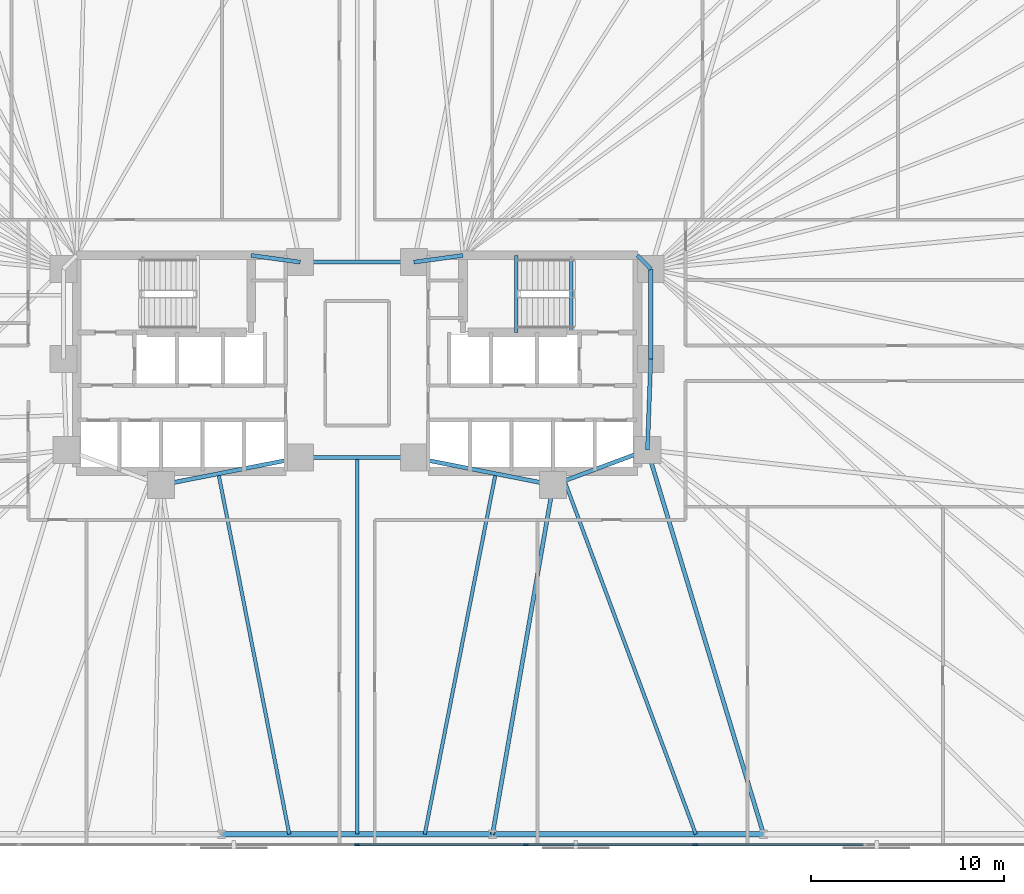
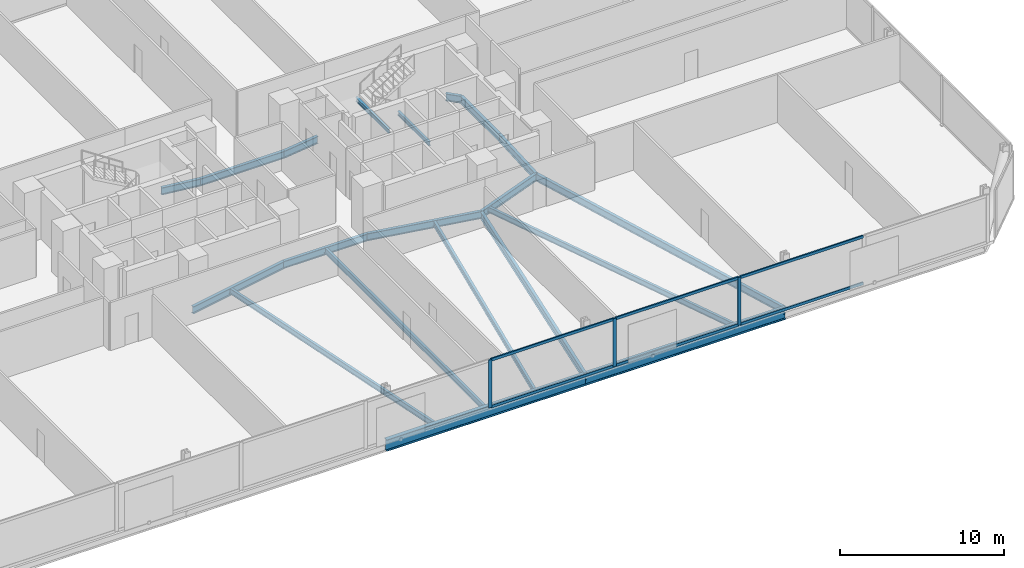
# One storey, part 7 of 17: 20 beams, 9 members, 1 element without a shape of its own.
"""IFC4 building model written with IfcOpenShell, lengths in metres."""

from ifc_helpers import new_model, si_unit, direction, frame, origin, origin_2d, place, context, subcontext, project, spatial, rectangle, i_section, extrude, material, material_profile, profile_set, type_object, element, aggregate, save


model = new_model("IFC4")

# Units and contexts
model_context = context("Model", 3, precision=1e-05, world=origin(), true_north=direction((0.0, 1.0)))
body_context = subcontext(model_context, "Body", "Model", "MODEL_VIEW")
ifc_project = project(units=[si_unit("LENGTHUNIT", "METRE"), si_unit("AREAUNIT", "SQUARE_METRE"), si_unit("VOLUMEUNIT", "CUBIC_METRE"), si_unit("PLANEANGLEUNIT", "RADIAN"), si_unit("MASSUNIT", "GRAM", prefix="KILO")], contexts=[model_context])

# Site, building, storey
site_placement = place(None, origin())
site = spatial("IfcSite", under=ifc_project, at=site_placement, CompositionType="ELEMENT")
building_placement = place(site_placement, origin())
building = spatial("IfcBuilding", under=site, at=building_placement, Name="Menara Jurai Vektor", CompositionType="ELEMENT")
storey_placement = place(building_placement, frame((0.0, 0.0, 25.60009765625)))
storey = spatial("IfcBuildingStorey", under=building, at=storey_placement, Name="L05", CompositionType="ELEMENT", Elevation=25.60009765625)

# Curtain wall, members
ifc_material_1 = material(Name="Anodised Pale Aluminium & Low-E Double Glazing", Category="aluminium")
curtain_wall_type = type_object("IfcCurtainWallType", Name="CW-BLK1", PredefinedType="NOTDEFINED", material=ifc_material_1)
curtain_wall_placement = place(storey_placement, origin())
curtain_wall = element("IfcCurtainWall", 1, at=curtain_wall_placement, inside=storey, type_object=curtain_wall_type, Name="Unitised Curtain Wall L05 F01", PredefinedType="NOTDEFINED")
ifc_material_2 = material(Name="Anodised Pale Aluminium Mullion", Category="aluminium")
ifc_material_profile_1 = material_profile(ifc_material_2, rectangle(XDim=0.094970703125, YDim=0.239990234375, at=origin_2d()), Name="ALU MUL 95x240")
ifc_profile_set_1 = profile_set([ifc_material_profile_1], Name="Anodised Pale Aluminium Mullion")
member_type_1 = type_object("IfcMemberType", Name="CW-BLK1-MUL", PredefinedType="MULLION", material=ifc_profile_set_1)
member_1_placement = place(storey_placement, frame((0.0, -25.0, 0.0), z_axis=(0.0, 0.0, 1.0), x_axis=(0.0, 1.0, 0.0)))
member_1 = element("IfcMember", 2, at=member_1_placement, type_object=member_type_1, Name="CW-01 mullion 5", PredefinedType="MULLION", context=body_context, shape_type="SweptSolid", body=[
    extrude(rectangle(XDim=0.094970703125, YDim=0.239990234375, at=origin_2d()), origin(), (0.0, 0.0, 1.0), 3.574951171875),
])
member_2_placement = place(storey_placement, frame((8.780029296875, -25.0, 0.0), z_axis=(0.0, 0.0, 1.0), x_axis=(0.0, 1.0, 0.0)))
member_2 = element("IfcMember", 3, at=member_2_placement, type_object=member_type_1, Name="CW-01 mullion 6", PredefinedType="MULLION", context=body_context, shape_type="SweptSolid", body=[
    extrude(rectangle(XDim=0.094970703125, YDim=0.239990234375, at=origin_2d()), origin(), (0.0, 0.0, 1.0), 3.574951171875),
])
member_3_placement = place(storey_placement, frame((17.56005859375, -25.0, 0.0), z_axis=(0.0, 0.0, 1.0), x_axis=(0.0, 1.0, 0.0)))
member_3 = element("IfcMember", 4, at=member_3_placement, type_object=member_type_1, Name="CW-01 mullion 7", PredefinedType="MULLION", context=body_context, shape_type="SweptSolid", body=[
    extrude(rectangle(XDim=0.094970703125, YDim=0.239990234375, at=origin_2d()), origin(), (0.0, 0.0, 1.0), 3.574951171875),
])
ifc_material_3 = material(Name="Anodised Pale Aluminium Transom", Category="aluminium")
ifc_material_profile_2 = material_profile(ifc_material_3, rectangle(XDim=0.094970703125, YDim=0.199951171875, at=origin_2d()), Name="ALU TRN 95x200")
ifc_profile_set_2 = profile_set([ifc_material_profile_2], Name="Anodised Pale Aluminium Transom")
member_type_2 = type_object("IfcMemberType", Name="CW-BLK1-TRN", PredefinedType="USERDEFINED", material=ifc_profile_set_2)
member_4_placement = place(storey_placement, frame((0.047607421875, -25.0, 0.04736328125), z_axis=(1.0, 0.0, 0.0), x_axis=(0.0, 1.0, 0.0)))
member_4 = element("IfcMember", 5, at=member_4_placement, type_object=member_type_2, Name="CW-01 transom 5.1", ObjectType="TRANSOM", PredefinedType="USERDEFINED", context=body_context, shape_type="SweptSolid", body=[
    extrude(rectangle(XDim=0.094970703125, YDim=0.199951171875, at=origin_2d()), origin(), (0.0, 0.0, 1.0), 8.684814453125),
])
member_5_placement = place(storey_placement, frame((0.047607421875, -25.0, 3.52734375), z_axis=(1.0, 0.0, 0.0), x_axis=(0.0, 1.0, 0.0)))
member_5 = element("IfcMember", 6, at=member_5_placement, type_object=member_type_2, Name="CW-01 transom 5.2", ObjectType="TRANSOM", PredefinedType="USERDEFINED", context=body_context, shape_type="SweptSolid", body=[
    extrude(rectangle(XDim=0.094970703125, YDim=0.199951171875, at=origin_2d()), origin(), (0.0, 0.0, 1.0), 8.684814453125),
])
member_6_placement = place(storey_placement, frame((8.827392578125, -25.0, 0.04736328125), z_axis=(1.0, 0.0, 0.0), x_axis=(0.0, 1.0, 0.0)))
member_6 = element("IfcMember", 7, at=member_6_placement, type_object=member_type_2, Name="CW-01 transom 6.1", ObjectType="TRANSOM", PredefinedType="USERDEFINED", context=body_context, shape_type="SweptSolid", body=[
    extrude(rectangle(XDim=0.094970703125, YDim=0.199951171875, at=origin_2d()), origin(), (0.0, 0.0, 1.0), 8.68505859375),
])
member_7_placement = place(storey_placement, frame((8.827392578125, -25.0, 3.52734375), z_axis=(1.0, 0.0, 0.0), x_axis=(0.0, 1.0, 0.0)))
member_7 = element("IfcMember", 8, at=member_7_placement, type_object=member_type_2, Name="CW-01 transom 6.2", ObjectType="TRANSOM", PredefinedType="USERDEFINED", context=body_context, shape_type="SweptSolid", body=[
    extrude(rectangle(XDim=0.094970703125, YDim=0.199951171875, at=origin_2d()), origin(), (0.0, 0.0, 1.0), 8.68505859375),
])
member_8_placement = place(storey_placement, frame((17.607421875, -25.0, 0.04736328125), z_axis=(1.0, 0.0, 0.0), x_axis=(0.0, 1.0, 0.0)))
member_8 = element("IfcMember", 9, at=member_8_placement, type_object=member_type_2, Name="CW-01 transom 7.1", ObjectType="TRANSOM", PredefinedType="USERDEFINED", context=body_context, shape_type="SweptSolid", body=[
    extrude(rectangle(XDim=0.094970703125, YDim=0.199951171875, at=origin_2d()), origin(), (0.0, 0.0, 1.0), 8.68505859375),
])
member_9_placement = place(storey_placement, frame((17.607421875, -25.0, 3.52734375), z_axis=(1.0, 0.0, 0.0), x_axis=(0.0, 1.0, 0.0)))
member_9 = element("IfcMember", 10, at=member_9_placement, type_object=member_type_2, Name="CW-01 transom 7.2", ObjectType="TRANSOM", PredefinedType="USERDEFINED", context=body_context, shape_type="SweptSolid", body=[
    extrude(rectangle(XDim=0.094970703125, YDim=0.199951171875, at=origin_2d()), origin(), (0.0, 0.0, 1.0), 8.68505859375),
])
aggregate(curtain_wall, [member_1, member_2, member_3, member_4, member_5, member_6, member_7, member_8, member_9])

# Beams
ifc_material_4 = material(Name="Steel S355", Category="steel")
ifc_material_profile_3 = material_profile(ifc_material_4, i_section(OverallWidth=0.2109375, OverallDepth=0.5390625, WebThickness=0.011962890625, FlangeThickness=0.01904296875, FilletRadius=0.012939453125, at=origin_2d()), Name="UKB 533x210x109")
ifc_profile_set_3 = profile_set([ifc_material_profile_3], Name="Steel S355")
beam_type_1 = type_object("IfcBeamType", Name="STR-BM-533", PredefinedType="BEAM", material=ifc_profile_set_3)
beam_1_placement = place(storey_placement, frame((-5.5, 5.60009765625, -0.49462890625), z_axis=(0.990706818608, -0.136014703483, 0.0), x_axis=(0.136014703483, 0.990706818608, 0.0)))
element("IfcBeam", 11, at=beam_1_placement, inside=storey, type_object=beam_type_1, Name="Core Ring Header Girder L05-CHW-N2", PredefinedType="BEAM", context=body_context, shape_type="SweptSolid", body=[
    extrude(i_section(OverallWidth=0.2109375, OverallDepth=0.5390625, WebThickness=0.011962890625, FlangeThickness=0.01904296875, FilletRadius=0.012939453125, at=origin_2d()), origin(), (0.0, 0.0, 1.0), 2.573974609375),
])
beam_2_placement = place(storey_placement, frame((-10.179931640625, -6.320068359375, -0.49462890625), z_axis=(0.981249044334, 0.192744164614, 0.0), x_axis=(-0.192744164614, 0.981249044334, 0.0)))
element("IfcBeam", 12, at=beam_2_placement, inside=storey, type_object=beam_type_1, Name="Core Ring Header Girder L05-CHW-S2", PredefinedType="BEAM", context=body_context, shape_type="SweptSolid", body=[
    extrude(i_section(OverallWidth=0.2109375, OverallDepth=0.5390625, WebThickness=0.011962890625, FlangeThickness=0.01904296875, FilletRadius=0.012939453125, at=origin_2d()), origin(), (0.0, 0.0, 1.0), 7.3681640625),
])
beam_3_placement = place(storey_placement, frame((2.949951171875, 5.25, -0.49462890625), z_axis=(0.990706818608, 0.136014703483, 0.0), x_axis=(-0.136014703483, 0.990706818608, 0.0)))
element("IfcBeam", 13, at=beam_3_placement, inside=storey, type_object=beam_type_1, Name="Core Ring Header Girder L05-CHE-N1", PredefinedType="BEAM", context=body_context, shape_type="SweptSolid", body=[
    extrude(i_section(OverallWidth=0.2109375, OverallDepth=0.5390625, WebThickness=0.011962890625, FlangeThickness=0.01904296875, FilletRadius=0.012939453125, at=origin_2d()), origin(), (0.0, 0.0, 1.0), 2.573974609375),
])
beam_4_placement = place(storey_placement, frame((14.56005859375, 5.60009765625, -0.49462890625), z_axis=(0.701871936926, -0.712303154672, 0.0), x_axis=(0.712303154672, 0.701871936926, 0.0)))
element("IfcBeam", 14, at=beam_4_placement, inside=storey, type_object=beam_type_1, Name="Core Ring Header Girder L05-CHE-N2", PredefinedType="BEAM", context=body_context, shape_type="SweptSolid", body=[
    extrude(i_section(OverallWidth=0.2109375, OverallDepth=0.5390625, WebThickness=0.011962890625, FlangeThickness=0.01904296875, FilletRadius=0.012939453125, at=origin_2d()), origin(), (0.0, 0.0, 1.0), 0.98291015625),
])
beam_5_placement = place(storey_placement, frame((15.25, 0.219970703125, -0.49462890625), z_axis=(0.0, 1.0, 0.0), x_axis=(-1.0, 0.0, 0.0)))
element("IfcBeam", 15, at=beam_5_placement, inside=storey, type_object=beam_type_1, Name="Core Ring Header Girder L05-CHE-E1", PredefinedType="BEAM", context=body_context, shape_type="SweptSolid", body=[
    extrude(i_section(OverallWidth=0.2109375, OverallDepth=0.5390625, WebThickness=0.011962890625, FlangeThickness=0.01904296875, FilletRadius=0.012939453125, at=origin_2d()), origin(), (0.0, 0.0, 1.0), 4.679931640625),
])
beam_6_placement = place(storey_placement, frame((15.080078125, -4.5, -0.49462890625), z_axis=(0.035977314146, 0.999352606874, 0.0), x_axis=(-0.999352606874, 0.035977314146, 0.0)))
element("IfcBeam", 16, at=beam_6_placement, inside=storey, type_object=beam_type_1, Name="Core Ring Header Girder L05-CHE-E2", PredefinedType="BEAM", context=body_context, shape_type="SweptSolid", body=[
    extrude(i_section(OverallWidth=0.2109375, OverallDepth=0.5390625, WebThickness=0.011962890625, FlangeThickness=0.01904296875, FilletRadius=0.012939453125, at=origin_2d()), origin(), (0.0, 0.0, 1.0), 4.72314453125),
])
beam_7_placement = place(storey_placement, frame((10.179931640625, -6.320068359375, -0.49462890625), z_axis=(0.937424400887, 0.348188874925, 0.0), x_axis=(-0.348188874925, 0.937424400887, 0.0)))
element("IfcBeam", 17, at=beam_7_placement, inside=storey, type_object=beam_type_1, Name="Core Ring Header Girder L05-CHE-S1", PredefinedType="BEAM", context=body_context, shape_type="SweptSolid", body=[
    extrude(i_section(OverallWidth=0.2109375, OverallDepth=0.5390625, WebThickness=0.011962890625, FlangeThickness=0.01904296875, FilletRadius=0.012939453125, at=origin_2d()), origin(), (0.0, 0.0, 1.0), 5.227294921875),
])
beam_8_placement = place(storey_placement, frame((2.949951171875, -4.89990234375, -0.49462890625), z_axis=(0.981249044334, -0.192744164614, 0.0), x_axis=(0.192744164614, 0.981249044334, 0.0)))
element("IfcBeam", 18, at=beam_8_placement, inside=storey, type_object=beam_type_1, Name="Core Ring Header Girder L05-CHE-S2", PredefinedType="BEAM", context=body_context, shape_type="SweptSolid", body=[
    extrude(i_section(OverallWidth=0.2109375, OverallDepth=0.5390625, WebThickness=0.011962890625, FlangeThickness=0.01904296875, FilletRadius=0.012939453125, at=origin_2d()), origin(), (0.0, 0.0, 1.0), 7.3681640625),
])
for number, where, z_axis, x_axis, name in (
    (19, (-2.949951171875, -4.89990234375, -0.49462890625), (1.0, 0.0, 0.0), (0.0, 1.0, 0.0), "Core Ring Header Girder L05-CC-1"),
    (20, (-2.949951171875, 5.25, -0.49462890625), (1.0, 0.0, 0.0), (0.0, 1.0, 0.0), "Core Ring Header Girder L05-CC-2"),
):
    element("IfcBeam", number, at=place(storey_placement, frame(where, z_axis=z_axis, x_axis=x_axis)), inside=storey, type_object=beam_type_1, Name=name, PredefinedType="BEAM", context=body_context, shape_type="SweptSolid", body=[
        extrude(i_section(OverallWidth=0.2109375, OverallDepth=0.5390625, WebThickness=0.011962890625, FlangeThickness=0.01904296875, FilletRadius=0.012939453125, at=origin_2d()), origin(), (0.0, 0.0, 1.0), 5.89990234375),
    ])
beam_9_placement = place(storey_placement, frame((7.03564453125, -24.449951171875, -0.49462890625), z_axis=(0.170880325642, 0.985291791455, 0.0), x_axis=(-0.985291791455, 0.170880325642, 0.0)))
element("IfcBeam", 21, at=beam_9_placement, inside=storey, type_object=beam_type_1, Name="Radial Floor Girder L05-S4", PredefinedType="BEAM", context=body_context, shape_type="SweptSolid", body=[
    extrude(i_section(OverallWidth=0.2109375, OverallDepth=0.5390625, WebThickness=0.011962890625, FlangeThickness=0.01904296875, FilletRadius=0.012939453125, at=origin_2d()), origin(), (0.0, 0.0, 1.0), 18.400634765625),
])
beam_10_placement = place(storey_placement, frame((21.106689453125, -24.449951171875, -0.49462890625), z_axis=(-0.289179812203, 0.957274796604, 0.0), x_axis=(-0.957274796604, -0.289179812203, 0.0)))
element("IfcBeam", 22, at=beam_10_placement, inside=storey, type_object=beam_type_1, Name="Radial Floor Girder L05-S5", PredefinedType="BEAM", context=body_context, shape_type="SweptSolid", body=[
    extrude(i_section(OverallWidth=0.2109375, OverallDepth=0.5390625, WebThickness=0.011962890625, FlangeThickness=0.01904296875, FilletRadius=0.012939453125, at=origin_2d()), origin(), (0.0, 0.0, 1.0), 20.84033203125),
])
ifc_material_profile_4 = material_profile(ifc_material_4, i_section(OverallWidth=0.178955078125, OverallDepth=0.408935546875, WebThickness=0.009033203125, FlangeThickness=0.013916015625, FilletRadius=0.010009765625, at=origin_2d()), Name="UKB 406x178x67")
ifc_profile_set_4 = profile_set([ifc_material_profile_4], Name="Steel S355")
beam_type_2 = type_object("IfcBeamType", Name="STR-JS-406", PredefinedType="JOIST", material=ifc_profile_set_4)
beam_11_placement = place(storey_placement, frame((-3.517822265625, -24.449951171875, -0.4296875), z_axis=(-0.192723076671, 0.981253186348, 0.0), x_axis=(-0.981253186348, -0.192723076671, 0.0)))
element("IfcBeam", 23, at=beam_11_placement, inside=storey, type_object=beam_type_2, Name="Radial Secondary Floor Joist L05-JS04", PredefinedType="JOIST", context=body_context, shape_type="SweptSolid", body=[
    extrude(i_section(OverallWidth=0.178955078125, OverallDepth=0.408935546875, WebThickness=0.009033203125, FlangeThickness=0.013916015625, FilletRadius=0.010009765625, at=origin_2d()), origin(), (0.0, 0.0, 1.0), 19.07421875),
])
beam_12_placement = place(storey_placement, frame((0.0, -24.449951171875, -0.4296875), z_axis=(0.0, 1.0, 0.0), x_axis=(-1.0, 0.0, 0.0)))
element("IfcBeam", 24, at=beam_12_placement, inside=storey, type_object=beam_type_2, Name="Radial Secondary Floor Joist L05-JS05", PredefinedType="JOIST", context=body_context, shape_type="SweptSolid", body=[
    extrude(i_section(OverallWidth=0.178955078125, OverallDepth=0.408935546875, WebThickness=0.009033203125, FlangeThickness=0.013916015625, FilletRadius=0.010009765625, at=origin_2d()), origin(), (0.0, 0.0, 1.0), 19.550048828125),
])
beam_13_placement = place(storey_placement, frame((3.517822265625, -24.449951171875, -0.4296875), z_axis=(0.192723076671, 0.981253186348, 0.0), x_axis=(-0.981253186348, 0.192723076671, 0.0)))
element("IfcBeam", 25, at=beam_13_placement, inside=storey, type_object=beam_type_2, Name="Radial Secondary Floor Joist L05-JS06", PredefinedType="JOIST", context=body_context, shape_type="SweptSolid", body=[
    extrude(i_section(OverallWidth=0.178955078125, OverallDepth=0.408935546875, WebThickness=0.009033203125, FlangeThickness=0.013916015625, FilletRadius=0.010009765625, at=origin_2d()), origin(), (0.0, 0.0, 1.0), 19.07421875),
])
beam_14_placement = place(storey_placement, frame((17.5888671875, -24.449951171875, -0.4296875), z_axis=(-0.348179014223, 0.937428063403, 0.0), x_axis=(-0.937428063403, -0.348179014223, 0.0)))
element("IfcBeam", 26, at=beam_14_placement, inside=storey, type_object=beam_type_2, Name="Radial Secondary Floor Joist L05-JS07", PredefinedType="JOIST", context=body_context, shape_type="SweptSolid", body=[
    extrude(i_section(OverallWidth=0.178955078125, OverallDepth=0.408935546875, WebThickness=0.009033203125, FlangeThickness=0.013916015625, FilletRadius=0.010009765625, at=origin_2d()), origin(), (0.0, 0.0, 1.0), 19.5751953125),
])
ifc_material_profile_5 = material_profile(ifc_material_4, i_section(OverallWidth=0.1650390625, OverallDepth=0.302978515625, WebThickness=0.006103515625, FlangeThickness=0.010009765625, FilletRadius=0.009033203125, at=origin_2d()), Name="UKB 305x165x40")
ifc_profile_set_5 = profile_set([ifc_material_profile_5], Name="Steel S355")
beam_type_3 = type_object("IfcBeamType", Name="STR-LN-305", PredefinedType="LINTEL", material=ifc_profile_set_5)
beam_15_placement = place(storey_placement, frame((11.1201171875, 1.60009765625, -0.376708984375), z_axis=(0.0, 1.0, 0.0), x_axis=(-1.0, 0.0, 0.0)))
element("IfcBeam", 27, at=beam_15_placement, inside=storey, type_object=beam_type_3, Name="Stair Well Floor Trimmer ST2 L05", PredefinedType="LINTEL", context=body_context, shape_type="SweptSolid", body=[
    extrude(i_section(OverallWidth=0.1650390625, OverallDepth=0.302978515625, WebThickness=0.006103515625, FlangeThickness=0.010009765625, FilletRadius=0.009033203125, at=origin_2d()), origin(), (0.0, 0.0, 1.0), 3.81982421875),
])
beam_16_placement = place(storey_placement, frame((8.27001953125, 1.60009765625, 1.54833984375), z_axis=(0.0, 1.0, 0.0), x_axis=(-1.0, 0.0, 0.0)))
element("IfcBeam", 28, at=beam_16_placement, inside=storey, type_object=beam_type_3, Name="Stair Half-Landing Nosing Trimmer ST2-1 L05", PredefinedType="LINTEL", context=body_context, shape_type="SweptSolid", body=[
    extrude(i_section(OverallWidth=0.1650390625, OverallDepth=0.302978515625, WebThickness=0.006103515625, FlangeThickness=0.010009765625, FilletRadius=0.009033203125, at=origin_2d()), origin(), (0.0, 0.0, 1.0), 4.0),
])
ifc_material_5 = material(Name="Steel S460", Category="steel")
ifc_material_profile_6 = material_profile(ifc_material_5, i_section(OverallWidth=0.2939453125, OverallDepth=0.85107421875, WebThickness=0.01611328125, FlangeThickness=0.027099609375, FilletRadius=0.01806640625, at=origin_2d()), Name="UKB 838x292x226")
ifc_profile_set_6 = profile_set([ifc_material_profile_6], Name="Steel S460")
beam_type_4 = type_object("IfcBeamType", Name="STR-SP-838", PredefinedType="SPANDREL", material=ifc_profile_set_6)
beam_17_placement = place(storey_placement, frame((-7.03564453125, -24.449951171875, -0.650634765625), z_axis=(1.0, 0.0, 0.0), x_axis=(0.0, 1.0, 0.0)))
element("IfcBeam", 29, at=beam_17_placement, inside=storey, type_object=beam_type_4, Name="Exoskeleton Spandrel Beam L05-03", PredefinedType="SPANDREL", context=body_context, shape_type="SweptSolid", body=[
    extrude(i_section(OverallWidth=0.2939453125, OverallDepth=0.85107421875, WebThickness=0.01611328125, FlangeThickness=0.027099609375, FilletRadius=0.01806640625, at=origin_2d()), origin(), (0.0, 0.0, 1.0), 14.0712890625),
])
beam_18_placement = place(storey_placement, frame((7.03564453125, -24.449951171875, -0.650634765625), z_axis=(1.0, 0.0, 0.0), x_axis=(0.0, 1.0, 0.0)))
element("IfcBeam", 30, at=beam_18_placement, inside=storey, type_object=beam_type_4, Name="Exoskeleton Spandrel Beam L05-04", PredefinedType="SPANDREL", context=body_context, shape_type="SweptSolid", body=[
    extrude(i_section(OverallWidth=0.2939453125, OverallDepth=0.85107421875, WebThickness=0.01611328125, FlangeThickness=0.027099609375, FilletRadius=0.01806640625, at=origin_2d()), origin(), (0.0, 0.0, 1.0), 14.071044921875),
])

save(model, "model.ifc")
